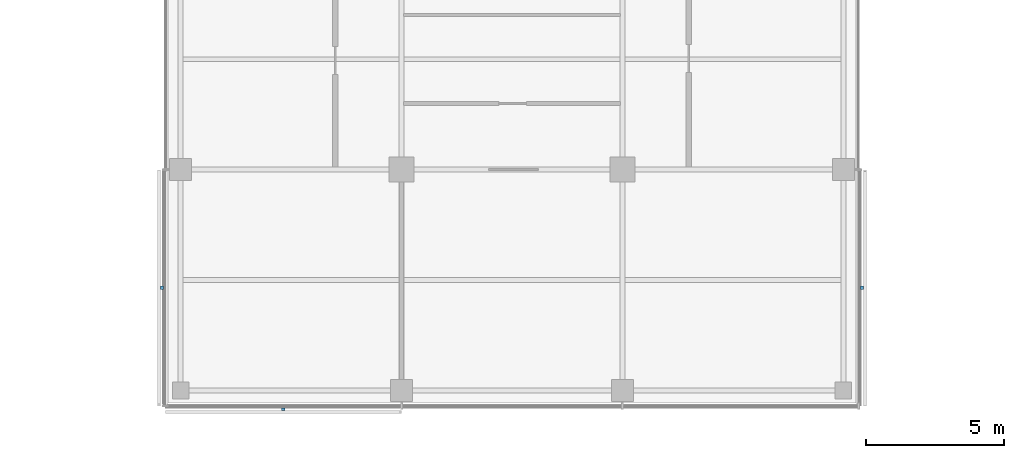
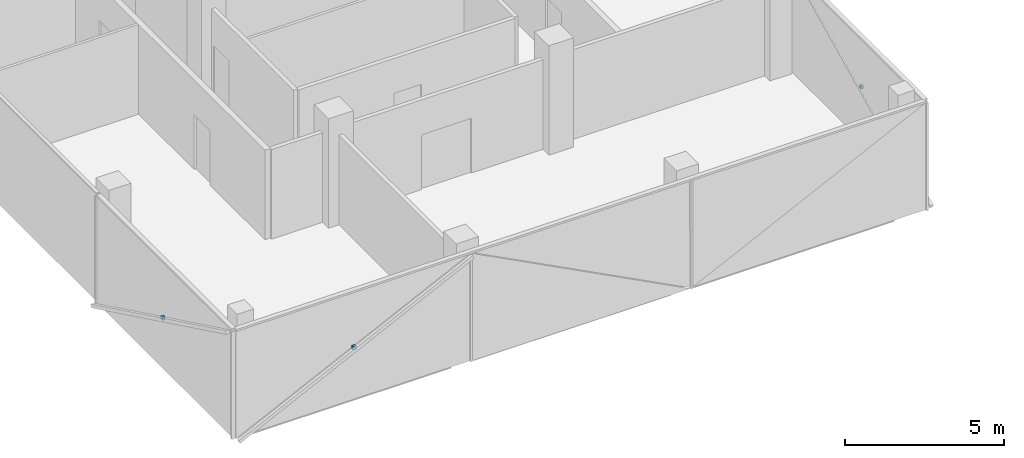
# One storey, part 14 of 16: 3 discrete accessories.
"""IFC4 building model written with IfcOpenShell, lengths in metres."""

import ifcopenshell
import ifcopenshell.guid

model = None  # the IFC model being written
_history = None  # IfcOwnerHistory: only IFC2X3 demands one
_inside = {}  # id of a spatial element -> (the spatial element, [elements in it])
_under = {}  # id of a project, library or spatial element -> (it, [spatial elements below it])
_declared = {}  # id of a project -> (the project, [libraries it declares])
_typed = {}  # id of a type object -> (the type object, [elements of that type])
_made_of = {}  # id of a material, layer set ... -> (it, [elements and type objects made of it])


def new_model(schema):
    """Start an empty IFC model of exactly this schema.

    Asked for "IFC4X3", IfcOpenShell would pick the latest addendum, in which some entities
    have other attributes; the version numbers below select the first issue.
    IFC2X3 requires an IfcOwnerHistory on every rooted entity: one is made here for all.
    """
    global model, _history
    if schema == "IFC4X3":
        model = ifcopenshell.file(schema_version=(4, 3, 0, 0))
    else:
        model = ifcopenshell.file(schema=schema)
    _inside.clear()
    _under.clear()
    _declared.clear()
    _typed.clear()
    _made_of.clear()
    _history = None
    if model.schema == "IFC2X3":
        org = make("IfcOrganization", Name="unknown")
        user = make(
            "IfcPersonAndOrganization",
            ThePerson=make("IfcPerson", FamilyName="unknown"),
            TheOrganization=org,
        )
        app = make(
            "IfcApplication",
            ApplicationDeveloper=org,
            Version="unknown",
            ApplicationFullName="unknown",
            ApplicationIdentifier="unknown",
        )
        _history = make(
            "IfcOwnerHistory",
            OwningUser=user,
            OwningApplication=app,
            ChangeAction="ADDED",
            CreationDate=0,
        )
    return model


def make(cls, **values):
    """One entity of the class cls with the attributes given. An attribute that is None is left unset."""
    return model.create_entity(
        cls, **{name: value for name, value in values.items() if value is not None}
    )


def rooted(cls, **values):
    """An entity with a GlobalId (a new one), such as an element, a storey or a relation."""
    return make(cls, GlobalId=ifcopenshell.guid.new(), OwnerHistory=_history, **values)


def si_unit(unit_type, name, prefix=None):
    """IfcSIUnit, for example si_unit("LENGTHUNIT", "METRE", prefix="MILLI")."""
    return make("IfcSIUnit", UnitType=unit_type, Prefix=prefix, Name=name)


def assignment(units):
    """IfcUnitAssignment: the units of a project."""
    return None if units is None else make("IfcUnitAssignment", Units=units)


def point(xyz):
    """IfcCartesianPoint."""
    return None if xyz is None else make("IfcCartesianPoint", Coordinates=xyz)


def direction(xyz):
    """IfcDirection."""
    return None if xyz is None else make("IfcDirection", DirectionRatios=xyz)


def frame(location, z_axis=None, x_axis=None):
    """IfcAxis2Placement3D, a coordinate frame: its origin and axes. An axis left out is left unset."""
    return make(
        "IfcAxis2Placement3D",
        Location=point(location),
        Axis=direction(z_axis),
        RefDirection=direction(x_axis),
    )


def frame_2d(location, x_axis=None):
    """IfcAxis2Placement2D, a coordinate frame in the plane: its origin and x axis."""
    return make(
        "IfcAxis2Placement2D", Location=point(location), RefDirection=direction(x_axis)
    )


def origin():
    """The frame at (0, 0, 0) with its axes left unset."""
    return frame((0.0, 0.0, 0.0))


def origin_2d():
    """The frame at (0, 0) in the plane with its x axis left unset."""
    return frame_2d((0.0, 0.0))


def place(relative_to, where):
    """IfcLocalPlacement: puts the frame where relative to a parent placement (None: the world)."""
    return make(
        "IfcLocalPlacement", PlacementRelTo=relative_to, RelativePlacement=where
    )


def context(
    kind, dimensions, precision=None, world=None, true_north=None, identifier=None
):
    """IfcGeometricRepresentationContext, for example the 3D "Model" context."""
    return make(
        "IfcGeometricRepresentationContext",
        ContextIdentifier=identifier,
        ContextType=kind,
        CoordinateSpaceDimension=dimensions,
        Precision=precision,
        WorldCoordinateSystem=world,
        TrueNorth=true_north,
    )


def subcontext(parent, identifier, kind, view, scale=None):
    """IfcGeometricRepresentationSubContext, for example "Body" below "Model"."""
    return make(
        "IfcGeometricRepresentationSubContext",
        ContextIdentifier=identifier,
        ContextType=kind,
        ParentContext=parent,
        TargetScale=scale,
        TargetView=view,
    )


def project(units=None, contexts=None):
    """IfcProject with its units and contexts."""
    return rooted(
        "IfcProject",
        Name="project",
        RepresentationContexts=contexts,
        UnitsInContext=assignment(units),
    )


def spatial(cls, under=None, at=None, **own):
    """A site, building, storey or space (cls), placed at a placement, below another one or the project."""
    s = rooted(cls, ObjectPlacement=at, **own)
    if under is not None:
        _under.setdefault(under.id(), (under, []))[1].append(s)
    return s


def profile(cls, at=None, kind="AREA", **sizes):
    """A parametric profile (cls). Its sizes go by their IFC names, for example OverallWidth=200.0."""
    return make(cls, ProfileType=kind, Position=at, **sizes)


def rectangle(**sizes):
    """IfcRectangleProfileDef."""
    return profile("IfcRectangleProfileDef", **sizes)


def extrude(swept, where, along, depth):
    """IfcExtrudedAreaSolid: the profile swept, set in the frame where, extruded along a direction by depth."""
    return make(
        "IfcExtrudedAreaSolid",
        SweptArea=swept,
        Position=where,
        ExtrudedDirection=direction(along),
        Depth=depth,
    )


def shape(context_of_items, identifier, shape_type, items):
    """IfcShapeRepresentation: the items that make up one representation, for example the "Body"."""
    return make(
        "IfcShapeRepresentation",
        ContextOfItems=context_of_items,
        RepresentationIdentifier=identifier,
        RepresentationType=shape_type,
        Items=items,
    )


def material(Name=None, Category=None):
    """IfcMaterial."""
    return make("IfcMaterial", Name=Name, Category=Category)


def made_of(thing, what):
    """Note that an element or type object is made of a material, layer set ...; save() writes the relation."""
    if what is not None:
        _made_of.setdefault(what.id(), (what, []))[1].append(thing)
    return thing


def type_object(cls, material=None, **own):
    """A type object (cls), such as IfcWallType, which elements share."""
    return made_of(rooted(cls, **own), material)


def element(
    cls,
    number,
    at=None,
    inside=None,
    cuts=None,
    type_object=None,
    material=None,
    context=None,
    identifier="Body",
    shape_type=None,
    held_by="IfcProductDefinitionShape",
    body=None,
    shapes=None,
    **own,
):
    """One element of the class cls, such as IfcWall. Its Tag is "e" and its number.

    at: its placement. inside: the storey or other place that contains it. cuts: it is an
    opening in that element (IfcRelVoidsElement). A single representation is given by context,
    identifier, shape_type and body (its items); several are given by shapes. held_by: the class
    of the entity that holds the representations. save() writes the other relations.
    """
    e = rooted(cls, Tag="e%d" % number, ObjectPlacement=at, **own)
    if body is not None:
        shapes = [shape(context, identifier, shape_type, body)]
    if shapes is not None:
        e.Representation = make(held_by, Representations=shapes)
    if inside is not None:
        _inside.setdefault(inside.id(), (inside, []))[1].append(e)
    if cuts is not None:
        rooted(
            "IfcRelVoidsElement", RelatingBuildingElement=cuts, RelatedOpeningElement=e
        )
    if type_object is not None:
        _typed.setdefault(type_object.id(), (type_object, []))[1].append(e)
    return made_of(e, material)


def aggregate(whole, parts):
    """IfcRelAggregates: a whole, such as a stair, and the parts it consists of."""
    return rooted("IfcRelAggregates", RelatingObject=whole, RelatedObjects=parts)


def save(model, path):
    """Write the relations noted so far, then the file.

    IfcRelAggregates (storeys below a building ...), IfcRelContainedInSpatialStructure (elements
    in a storey), IfcRelDefinesByType, IfcRelAssociatesMaterial and IfcRelDeclares: one each for
    every whole, place, type object, material and project.
    """
    for whole, parts in _under.values():
        aggregate(whole, parts)
    for where, things in _inside.values():
        rooted(
            "IfcRelContainedInSpatialStructure",
            RelatedElements=things,
            RelatingStructure=where,
        )
    for kind, things in _typed.values():
        rooted("IfcRelDefinesByType", RelatedObjects=things, RelatingType=kind)
    for what, things in _made_of.values():
        rooted("IfcRelAssociatesMaterial", RelatedObjects=things, RelatingMaterial=what)
    for by, libraries in _declared.values():
        rooted("IfcRelDeclares", RelatingContext=by, RelatedDefinitions=libraries)
    model.write(path)


model = new_model("IFC4")

# Units and contexts
model_context = context("Model", 3, precision=1e-05, world=origin(), true_north=direction((0.0, 1.0)))
body_context = subcontext(model_context, "Body", "Model", "MODEL_VIEW")
ifc_project = project(units=[si_unit("LENGTHUNIT", "METRE"), si_unit("AREAUNIT", "SQUARE_METRE"), si_unit("VOLUMEUNIT", "CUBIC_METRE"), si_unit("PLANEANGLEUNIT", "RADIAN"), si_unit("MASSUNIT", "GRAM", prefix="KILO")], contexts=[model_context])

# Site, building, storey
site_placement = place(None, origin())
site = spatial("IfcSite", under=ifc_project, at=site_placement, CompositionType="ELEMENT")
building_placement = place(site_placement, origin())
building = spatial("IfcBuilding", under=site, at=building_placement, Name="Crosswind Convention Tower", CompositionType="ELEMENT")
storey_placement = place(building_placement, frame((0.0, 0.0, 216.699951171875)))
storey = spatial("IfcBuildingStorey", under=building, at=storey_placement, Name="L46", CompositionType="ELEMENT", Elevation=216.699951171875)

# Discrete accessories
ifc_material = material(Name="Stainless steel", Category="steel")
discrete_accessory_type = type_object("IfcDiscreteAccessoryType", Name="BAGUETTE BRACKET BK3", PredefinedType="BRACKET", material=ifc_material)
for number, where, z_axis, x_axis, name in (
    (1, (112.323974609375, 75.719970703125, 1.705078125), (0.0, 0.0, 1.0), (0.0, -1.0, 0.0), "BK3 baguette bracket"),
    (2, (116.719970703125, 71.323974609375, 1.705078125), (0.0, 0.0, 1.0), (1.0, 0.0, 0.0), "BK3 baguette bracket"),
    (3, (137.676025390625, 75.719970703125, 1.705078125), (0.0, 0.0, 1.0), (0.0, 1.0, 0.0), "BK3 baguette bracket"),
):
    element("IfcDiscreteAccessory", number, at=place(storey_placement, frame(where, z_axis=z_axis, x_axis=x_axis)), inside=storey, type_object=discrete_accessory_type, Name=name, PredefinedType="BRACKET", context=body_context, shape_type="SweptSolid", body=[
        extrude(rectangle(XDim=0.1201171875, YDim=0.10009765625, at=origin_2d()), origin(), (0.0, 0.0, 1.0), 0.1201171875),
    ])

save(model, "model.ifc")
